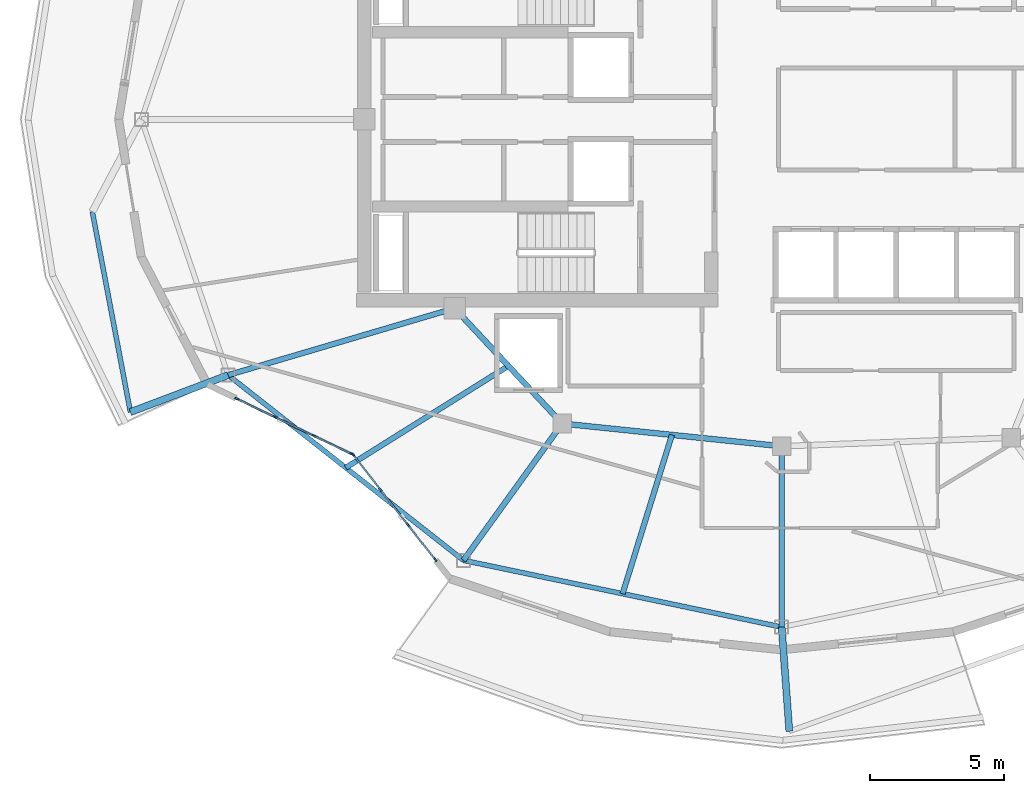
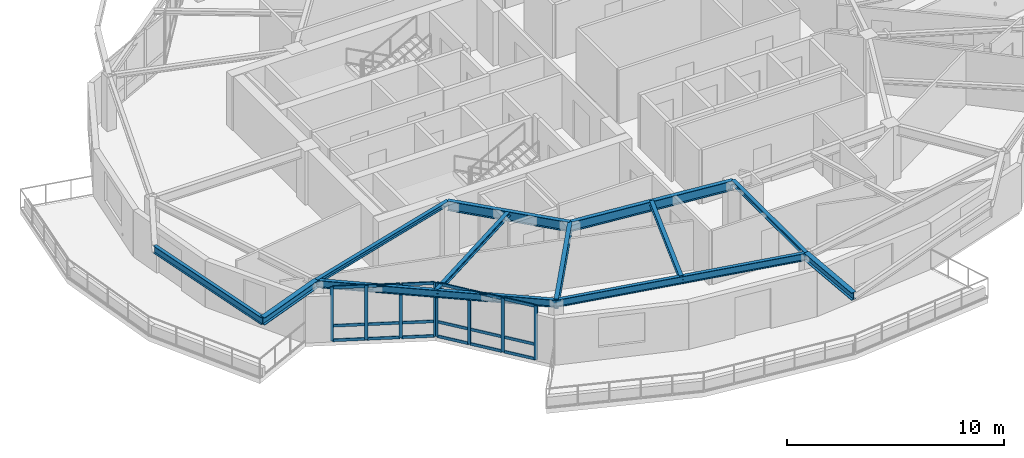
# One storey, part 2 of 16: 26 members, 12 beams, 2 elements without a shape of their own.
"""IFC4 building model written with IfcOpenShell, lengths in metres."""

from ifc_helpers import new_model, si_unit, direction, frame, origin, origin_2d, place, context, subcontext, project, spatial, rectangle, i_section, extrude, material, layer, layer_set, material_profile, profile_set, type_object, element, aggregate, save


model = new_model("IFC4")

# Units and contexts
model_context = context("Model", 3, precision=1e-05, world=origin(), true_north=direction((0.0, 1.0)))
body_context = subcontext(model_context, "Body", "Model", "MODEL_VIEW")
ifc_project = project(units=[si_unit("LENGTHUNIT", "METRE"), si_unit("AREAUNIT", "SQUARE_METRE"), si_unit("VOLUMEUNIT", "CUBIC_METRE"), si_unit("PLANEANGLEUNIT", "RADIAN"), si_unit("MASSUNIT", "GRAM", prefix="KILO")], contexts=[model_context])

# Site, building, storey
site_placement = place(None, origin())
site = spatial("IfcSite", under=ifc_project, at=site_placement, CompositionType="ELEMENT")
building_placement = place(site_placement, origin())
building = spatial("IfcBuilding", under=site, at=building_placement, Name="Kolvaren Gate Tower and Convention Centre", CompositionType="ELEMENT")
storey_placement = place(building_placement, frame((0.0, 0.0, 219.5)))
storey = spatial("IfcBuildingStorey", under=building, at=storey_placement, Name="L58", CompositionType="ELEMENT", Elevation=219.5)

# Curtain wall, members
ifc_material_1 = material(Name="Anodized Architectural Aluminium Alloy 6063-T6", Category="aluminium")
ifc_layer = layer(ifc_material_1, 0.159912109375)
ifc_layer_set = layer_set([ifc_layer], Name="Anodized Architectural Aluminium Alloy 6063-T6")
curtain_wall_type = type_object("IfcCurtainWallType", Name="CW-RES-UNIT", PredefinedType="NOTDEFINED", material=ifc_layer_set)
curtain_wall_1_placement = place(storey_placement, origin())
curtain_wall_1 = element("IfcCurtainWall", 1, at=curtain_wall_1_placement, inside=storey, type_object=curtain_wall_type, Name="Tower L58 Unitised Curtain Wall CW-RES-UNIT Bay 14", PredefinedType="NOTDEFINED")
ifc_material_profile_1 = material_profile(ifc_material_1, rectangle(XDim=0.06494140625, YDim=0.159912109375, at=origin_2d()), Name="CW-MEM-MUL-160")
ifc_profile_set_1 = profile_set([ifc_material_profile_1], Name="Anodized Architectural Aluminium Alloy 6063-T6")
member_type_1 = type_object("IfcMemberType", Name="CW-MEM-MUL-160", PredefinedType="MULLION", material=ifc_profile_set_1)
member_1_placement = place(storey_placement, frame((9.78466796875, 16.574462890625, 0.0), z_axis=(0.0, 0.0, 1.0), x_axis=(0.433065576861, 0.901362416644, 0.0)))
member_1 = element("IfcMember", 2, at=member_1_placement, type_object=member_type_1, Name="CW-04 mullion 1", PredefinedType="MULLION", context=body_context, shape_type="SweptSolid", body=[
    extrude(rectangle(XDim=0.06494140625, YDim=0.159912109375, at=origin_2d()), origin(), (0.0, 0.0, 1.0), 3.030029296875),
])
member_2_placement = place(storey_placement, frame((11.20947265625, 15.889892578125, 0.0), z_axis=(0.0, 0.0, 1.0), x_axis=(0.433065576861, 0.901362416644, 0.0)))
member_2 = element("IfcMember", 3, at=member_2_placement, type_object=member_type_1, Name="CW-04 mullion 2", PredefinedType="MULLION", context=body_context, shape_type="SweptSolid", body=[
    extrude(rectangle(XDim=0.06494140625, YDim=0.159912109375, at=origin_2d()), origin(), (0.0, 0.0, 1.0), 3.030029296875),
])
member_3_placement = place(storey_placement, frame((12.66357421875, 15.19140625, 0.0), z_axis=(0.0, 0.0, 1.0), x_axis=(0.433065576861, 0.901362416644, 0.0)))
member_3 = element("IfcMember", 4, at=member_3_placement, type_object=member_type_1, Name="CW-04 mullion 3", PredefinedType="MULLION", context=body_context, shape_type="SweptSolid", body=[
    extrude(rectangle(XDim=0.06494140625, YDim=0.159912109375, at=origin_2d()), origin(), (0.0, 0.0, 1.0), 3.030029296875),
])
member_4_placement = place(storey_placement, frame((14.088134765625, 14.5068359375, 0.0), z_axis=(0.0, 0.0, 1.0), x_axis=(0.433065576861, 0.901362416644, 0.0)))
member_4 = element("IfcMember", 5, at=member_4_placement, type_object=member_type_1, Name="CW-04 mullion 4", PredefinedType="MULLION", context=body_context, shape_type="SweptSolid", body=[
    extrude(rectangle(XDim=0.06494140625, YDim=0.159912109375, at=origin_2d()), origin(), (0.0, 0.0, 1.0), 3.030029296875),
])

curtain_wall_2_placement = place(storey_placement, origin())
curtain_wall_2 = element("IfcCurtainWall", 6, at=curtain_wall_2_placement, inside=storey, type_object=curtain_wall_type, Name="Tower L58 Unitised Curtain Wall CW-RES-UNIT Bay 15", PredefinedType="NOTDEFINED")
member_5_placement = place(storey_placement, frame((14.137451171875, 14.467041015625, 0.0), z_axis=(0.0, 0.0, 1.0), x_axis=(0.787409932974, 0.616429718179, 0.0)))
member_5 = element("IfcMember", 7, at=member_5_placement, type_object=member_type_1, Name="CW-04 mullion 1", PredefinedType="MULLION", context=body_context, shape_type="SweptSolid", body=[
    extrude(rectangle(XDim=0.06494140625, YDim=0.159912109375, at=origin_2d()), origin(), (0.0, 0.0, 1.0), 3.030029296875),
])
member_6_placement = place(storey_placement, frame((15.1484375, 13.17578125, 0.0), z_axis=(0.0, 0.0, 1.0), x_axis=(0.787409932974, 0.616429718179, 0.0)))
member_6 = element("IfcMember", 8, at=member_6_placement, type_object=member_type_1, Name="CW-04 mullion 2", PredefinedType="MULLION", context=body_context, shape_type="SweptSolid", body=[
    extrude(rectangle(XDim=0.06494140625, YDim=0.159912109375, at=origin_2d()), origin(), (0.0, 0.0, 1.0), 3.030029296875),
])
member_7_placement = place(storey_placement, frame((16.17919921875, 11.859130859375, 0.0), z_axis=(0.0, 0.0, 1.0), x_axis=(0.787409932974, 0.616429718179, 0.0)))
member_7 = element("IfcMember", 9, at=member_7_placement, type_object=member_type_1, Name="CW-04 mullion 3", PredefinedType="MULLION", context=body_context, shape_type="SweptSolid", body=[
    extrude(rectangle(XDim=0.06494140625, YDim=0.159912109375, at=origin_2d()), origin(), (0.0, 0.0, 1.0), 3.030029296875),
])
member_8_placement = place(storey_placement, frame((17.190185546875, 10.56787109375, 0.0), z_axis=(0.0, 0.0, 1.0), x_axis=(0.787409932974, 0.616429718179, 0.0)))
member_8 = element("IfcMember", 10, at=member_8_placement, type_object=member_type_1, Name="CW-04 mullion 4", PredefinedType="MULLION", context=body_context, shape_type="SweptSolid", body=[
    extrude(rectangle(XDim=0.06494140625, YDim=0.159912109375, at=origin_2d()), origin(), (0.0, 0.0, 1.0), 3.030029296875),
])

# Member
ifc_material_profile_2 = material_profile(ifc_material_1, rectangle(XDim=0.06494140625, YDim=0.159912109375, at=origin_2d()), Name="CW-MEM-TRN-160")
ifc_profile_set_2 = profile_set([ifc_material_profile_2], Name="Anodized Architectural Aluminium Alloy 6063-T6")
member_type_2 = type_object("IfcMemberType", Name="CW-MEM-TRN-160", PredefinedType="USERDEFINED", material=ifc_profile_set_2)
member_9_placement = place(storey_placement, frame((9.81396484375, 16.560302734375, 0.032470703125), z_axis=(0.901402369702, -0.432982410607, 0.0), x_axis=(0.432982410607, 0.901402369702, 0.0)))
member_9 = element("IfcMember", 11, at=member_9_placement, type_object=member_type_2, Name="CW-04 transom 1.1", ObjectType="TRANSOM", PredefinedType="USERDEFINED", context=body_context, shape_type="SweptSolid", body=[
    extrude(rectangle(XDim=0.06494140625, YDim=0.159912109375, at=origin_2d()), origin(), (0.0, 0.0, 1.0), 1.515625),
])

member_10_placement = place(storey_placement, frame((9.81396484375, 16.560302734375, 0.85009765625), z_axis=(0.901402369702, -0.432982410607, 0.0), x_axis=(0.432982410607, 0.901402369702, 0.0)))
member_10 = element("IfcMember", 12, at=member_10_placement, type_object=member_type_2, Name="CW-04 transom 1.2", ObjectType="TRANSOM", PredefinedType="USERDEFINED", context=body_context, shape_type="SweptSolid", body=[
    extrude(rectangle(XDim=0.06494140625, YDim=0.159912109375, at=origin_2d()), origin(), (0.0, 0.0, 1.0), 1.515625),
])

member_11_placement = place(storey_placement, frame((9.81396484375, 16.560302734375, 2.99755859375), z_axis=(0.901402369702, -0.432982410607, 0.0), x_axis=(0.432982410607, 0.901402369702, 0.0)))
member_11 = element("IfcMember", 13, at=member_11_placement, type_object=member_type_2, Name="CW-04 transom 1.3", ObjectType="TRANSOM", PredefinedType="USERDEFINED", context=body_context, shape_type="SweptSolid", body=[
    extrude(rectangle(XDim=0.06494140625, YDim=0.159912109375, at=origin_2d()), origin(), (0.0, 0.0, 1.0), 1.515625),
])

member_12_placement = place(storey_placement, frame((11.23876953125, 15.875732421875, 0.032470703125), z_axis=(0.901380283866, -0.433028386896, 0.0), x_axis=(0.433028386896, 0.901380283866, 0.0)))
member_12 = element("IfcMember", 14, at=member_12_placement, type_object=member_type_2, Name="CW-04 transom 2.1", ObjectType="TRANSOM", PredefinedType="USERDEFINED", context=body_context, shape_type="SweptSolid", body=[
    extrude(rectangle(XDim=0.06494140625, YDim=0.159912109375, at=origin_2d()), origin(), (0.0, 0.0, 1.0), 1.548095703125),
])

member_13_placement = place(storey_placement, frame((11.23876953125, 15.875732421875, 0.85009765625), z_axis=(0.901380283866, -0.433028386896, 0.0), x_axis=(0.433028386896, 0.901380283866, 0.0)))
member_13 = element("IfcMember", 15, at=member_13_placement, type_object=member_type_2, Name="CW-04 transom 2.2", ObjectType="TRANSOM", PredefinedType="USERDEFINED", context=body_context, shape_type="SweptSolid", body=[
    extrude(rectangle(XDim=0.06494140625, YDim=0.159912109375, at=origin_2d()), origin(), (0.0, 0.0, 1.0), 1.548095703125),
])

member_14_placement = place(storey_placement, frame((11.23876953125, 15.875732421875, 2.99755859375), z_axis=(0.901380283866, -0.433028386896, 0.0), x_axis=(0.433028386896, 0.901380283866, 0.0)))
member_14 = element("IfcMember", 16, at=member_14_placement, type_object=member_type_2, Name="CW-04 transom 2.3", ObjectType="TRANSOM", PredefinedType="USERDEFINED", context=body_context, shape_type="SweptSolid", body=[
    extrude(rectangle(XDim=0.06494140625, YDim=0.159912109375, at=origin_2d()), origin(), (0.0, 0.0, 1.0), 1.548095703125),
])

member_15_placement = place(storey_placement, frame((12.69287109375, 15.17724609375, 0.032470703125), z_axis=(0.901309275583, -0.433176164797, 0.0), x_axis=(0.433176164797, 0.901309275583, 0.0)))
member_15 = element("IfcMember", 17, at=member_15_placement, type_object=member_type_2, Name="CW-04 transom 3.1", ObjectType="TRANSOM", PredefinedType="USERDEFINED", context=body_context, shape_type="SweptSolid", body=[
    extrude(rectangle(XDim=0.06494140625, YDim=0.159912109375, at=origin_2d()), origin(), (0.0, 0.0, 1.0), 1.515625),
])

member_16_placement = place(storey_placement, frame((12.69287109375, 15.17724609375, 0.85009765625), z_axis=(0.901309275583, -0.433176164797, 0.0), x_axis=(0.433176164797, 0.901309275583, 0.0)))
member_16 = element("IfcMember", 18, at=member_16_placement, type_object=member_type_2, Name="CW-04 transom 3.2", ObjectType="TRANSOM", PredefinedType="USERDEFINED", context=body_context, shape_type="SweptSolid", body=[
    extrude(rectangle(XDim=0.06494140625, YDim=0.159912109375, at=origin_2d()), origin(), (0.0, 0.0, 1.0), 1.515625),
])

member_17_placement = place(storey_placement, frame((12.69287109375, 15.17724609375, 2.99755859375), z_axis=(0.901309275583, -0.433176164797, 0.0), x_axis=(0.433176164797, 0.901309275583, 0.0)))
member_17 = element("IfcMember", 19, at=member_17_placement, type_object=member_type_2, Name="CW-04 transom 3.3", ObjectType="TRANSOM", PredefinedType="USERDEFINED", context=body_context, shape_type="SweptSolid", body=[
    extrude(rectangle(XDim=0.06494140625, YDim=0.159912109375, at=origin_2d()), origin(), (0.0, 0.0, 1.0), 1.515625),
])

aggregate(curtain_wall_1, [member_1, member_2, member_3, member_4, member_9, member_10, member_11, member_12, member_13, member_14, member_15, member_16, member_17])

member_18_placement = place(storey_placement, frame((14.157470703125, 14.44140625, 0.032470703125), z_axis=(0.616513055725, -0.787344684443, 0.0), x_axis=(0.787344684443, 0.616513055725, 0.0)))
member_18 = element("IfcMember", 20, at=member_18_placement, type_object=member_type_2, Name="CW-04 transom 1.1", ObjectType="TRANSOM", PredefinedType="USERDEFINED", context=body_context, shape_type="SweptSolid", body=[
    extrude(rectangle(XDim=0.06494140625, YDim=0.159912109375, at=origin_2d()), origin(), (0.0, 0.0, 1.0), 1.574951171875),
])

member_19_placement = place(storey_placement, frame((14.157470703125, 14.44140625, 0.85009765625), z_axis=(0.616513055725, -0.787344684443, 0.0), x_axis=(0.787344684443, 0.616513055725, 0.0)))
member_19 = element("IfcMember", 21, at=member_19_placement, type_object=member_type_2, Name="CW-04 transom 1.2", ObjectType="TRANSOM", PredefinedType="USERDEFINED", context=body_context, shape_type="SweptSolid", body=[
    extrude(rectangle(XDim=0.06494140625, YDim=0.159912109375, at=origin_2d()), origin(), (0.0, 0.0, 1.0), 1.574951171875),
])

member_20_placement = place(storey_placement, frame((14.157470703125, 14.44140625, 2.99755859375), z_axis=(0.616513055725, -0.787344684443, 0.0), x_axis=(0.787344684443, 0.616513055725, 0.0)))
member_20 = element("IfcMember", 22, at=member_20_placement, type_object=member_type_2, Name="CW-04 transom 1.3", ObjectType="TRANSOM", PredefinedType="USERDEFINED", context=body_context, shape_type="SweptSolid", body=[
    extrude(rectangle(XDim=0.06494140625, YDim=0.159912109375, at=origin_2d()), origin(), (0.0, 0.0, 1.0), 1.574951171875),
])

member_21_placement = place(storey_placement, frame((15.16845703125, 13.150390625, 0.032470703125), z_axis=(0.616398363045, -0.787434478567, 0.0), x_axis=(0.787434478567, 0.616398363045, 0.0)))
member_21 = element("IfcMember", 23, at=member_21_placement, type_object=member_type_2, Name="CW-04 transom 2.1", ObjectType="TRANSOM", PredefinedType="USERDEFINED", context=body_context, shape_type="SweptSolid", body=[
    extrude(rectangle(XDim=0.06494140625, YDim=0.159912109375, at=origin_2d()), origin(), (0.0, 0.0, 1.0), 1.607177734375),
])

member_22_placement = place(storey_placement, frame((15.16845703125, 13.150390625, 0.85009765625), z_axis=(0.616398363045, -0.787434478567, 0.0), x_axis=(0.787434478567, 0.616398363045, 0.0)))
member_22 = element("IfcMember", 24, at=member_22_placement, type_object=member_type_2, Name="CW-04 transom 2.2", ObjectType="TRANSOM", PredefinedType="USERDEFINED", context=body_context, shape_type="SweptSolid", body=[
    extrude(rectangle(XDim=0.06494140625, YDim=0.159912109375, at=origin_2d()), origin(), (0.0, 0.0, 1.0), 1.607177734375),
])

member_23_placement = place(storey_placement, frame((15.16845703125, 13.150390625, 2.99755859375), z_axis=(0.616398363045, -0.787434478567, 0.0), x_axis=(0.787434478567, 0.616398363045, 0.0)))
member_23 = element("IfcMember", 25, at=member_23_placement, type_object=member_type_2, Name="CW-04 transom 2.3", ObjectType="TRANSOM", PredefinedType="USERDEFINED", context=body_context, shape_type="SweptSolid", body=[
    extrude(rectangle(XDim=0.06494140625, YDim=0.159912109375, at=origin_2d()), origin(), (0.0, 0.0, 1.0), 1.607177734375),
])

member_24_placement = place(storey_placement, frame((16.19921875, 11.83349609375, 0.032470703125), z_axis=(0.616416943475, -0.787419933579, 0.0), x_axis=(0.787419933579, 0.616416943475, 0.0)))
member_24 = element("IfcMember", 26, at=member_24_placement, type_object=member_type_2, Name="CW-04 transom 3.1", ObjectType="TRANSOM", PredefinedType="USERDEFINED", context=body_context, shape_type="SweptSolid", body=[
    extrude(rectangle(XDim=0.06494140625, YDim=0.159912109375, at=origin_2d()), origin(), (0.0, 0.0, 1.0), 1.57470703125),
])

member_25_placement = place(storey_placement, frame((16.19921875, 11.83349609375, 0.85009765625), z_axis=(0.616416943475, -0.787419933579, 0.0), x_axis=(0.787419933579, 0.616416943475, 0.0)))
member_25 = element("IfcMember", 27, at=member_25_placement, type_object=member_type_2, Name="CW-04 transom 3.2", ObjectType="TRANSOM", PredefinedType="USERDEFINED", context=body_context, shape_type="SweptSolid", body=[
    extrude(rectangle(XDim=0.06494140625, YDim=0.159912109375, at=origin_2d()), origin(), (0.0, 0.0, 1.0), 1.57470703125),
])

member_26_placement = place(storey_placement, frame((16.19921875, 11.83349609375, 2.99755859375), z_axis=(0.616416943475, -0.787419933579, 0.0), x_axis=(0.787419933579, 0.616416943475, 0.0)))
member_26 = element("IfcMember", 28, at=member_26_placement, type_object=member_type_2, Name="CW-04 transom 3.3", ObjectType="TRANSOM", PredefinedType="USERDEFINED", context=body_context, shape_type="SweptSolid", body=[
    extrude(rectangle(XDim=0.06494140625, YDim=0.159912109375, at=origin_2d()), origin(), (0.0, 0.0, 1.0), 1.57470703125),
])

aggregate(curtain_wall_2, [member_5, member_6, member_7, member_8, member_18, member_19, member_20, member_21, member_22, member_23, member_24, member_25, member_26])

# Beams
ifc_material_2 = material(Name="Structural steel ASTM A992 Grade 345 MPa", Category="steel")
ifc_material_profile_3 = material_profile(ifc_material_2, i_section(OverallWidth=0.260009765625, OverallDepth=0.419921875, WebThickness=0.013427734375, FlangeThickness=0.0224609375, at=origin_2d()), Name="W410X132")
ifc_profile_set_3 = profile_set([ifc_material_profile_3], Name="Structural steel ASTM A992 Grade 345 MPa")
beam_type_1 = type_object("IfcBeamType", Name="STR-BM-W410X132", PredefinedType="BEAM", material=ifc_profile_set_3)
for number, where, z_axis, x_axis, name in (
    (29, (9.462646484375, 17.456298828125, 2.820556640625), (-0.935223524141, -0.354057848229, 0.0), (0.354057848229, -0.935223524141, 0.0), "Tower L59 Planted Balcony Outrigger Cantilever BC-2B"),
    (30, (30.125, 8.050048828125, 2.820556640625), (0.073177618762, -0.997318923972, 0.0), (0.997318923972, 0.073177618762, 0.0), "Tower L59 Planted Balcony Outrigger Cantilever BC-3A"),
):
    element("IfcBeam", number, at=place(storey_placement, frame(where, z_axis=z_axis, x_axis=x_axis)), inside=storey, type_object=beam_type_1, Name=name, PredefinedType="BEAM", context=body_context, shape_type="SweptSolid", body=[
        extrude(i_section(OverallWidth=0.260009765625, OverallDepth=0.419921875, WebThickness=0.013427734375, FlangeThickness=0.0224609375, at=origin_2d()), origin(), (0.0, 0.0, 1.0), 3.900146484375),
    ])
ifc_material_profile_4 = material_profile(ifc_material_2, i_section(OverallWidth=0.2119140625, OverallDepth=0.5439453125, WebThickness=0.01318359375, FlangeThickness=0.021240234375, at=origin_2d()), Name="W530X123")
ifc_profile_set_4 = profile_set([ifc_material_profile_4], Name="Structural steel ASTM A992 Grade 345 MPa")
beam_type_2 = type_object("IfcBeamType", Name="STR-BM-W530X123", PredefinedType="BEAM", material=ifc_profile_set_4)
beam_1_placement = place(storey_placement, frame((17.9140625, 19.949951171875, 2.758056640625), z_axis=(0.682557592987, -0.730831808459, 0.0), x_axis=(0.730831808459, 0.682557592987, 0.0)))
element("IfcBeam", 31, at=beam_1_placement, inside=storey, type_object=beam_type_2, Name="Tower L58 Primary Ring Girder G-06", PredefinedType="BEAM", context=body_context, shape_type="SweptSolid", body=[
    extrude(i_section(OverallWidth=0.2119140625, OverallDepth=0.5439453125, WebThickness=0.01318359375, FlangeThickness=0.021240234375, at=origin_2d()), origin(), (0.0, 0.0, 1.0), 5.88671875),
])
beam_2_placement = place(storey_placement, frame((21.93212890625, 15.647705078125, 2.758056640625), z_axis=(0.994690329115, -0.102913308978, 0.0), x_axis=(0.102913308978, 0.994690329115, 0.0)))
element("IfcBeam", 32, at=beam_2_placement, inside=storey, type_object=beam_type_2, Name="Tower L58 Primary Ring Girder G-07", PredefinedType="BEAM", context=body_context, shape_type="SweptSolid", body=[
    extrude(i_section(OverallWidth=0.2119140625, OverallDepth=0.5439453125, WebThickness=0.01318359375, FlangeThickness=0.021240234375, at=origin_2d()), origin(), (0.0, 0.0, 1.0), 8.236572265625),
])
beam_3_placement = place(storey_placement, frame((21.93212890625, 15.647705078125, 2.758056640625), z_axis=(-0.585214462319, -0.810878556316, 0.0), x_axis=(0.810878556316, -0.585214462319, 0.0)))
element("IfcBeam", 33, at=beam_3_placement, inside=storey, type_object=beam_type_2, Name="Tower L58 Radial Floor Girder RB-09", PredefinedType="BEAM", context=body_context, shape_type="SweptSolid", body=[
    extrude(i_section(OverallWidth=0.2119140625, OverallDepth=0.5439453125, WebThickness=0.01318359375, FlangeThickness=0.021240234375, at=origin_2d()), origin(), (0.0, 0.0, 1.0), 6.296630859375),
])
ifc_material_profile_5 = material_profile(ifc_material_2, i_section(OverallWidth=0.202880859375, OverallDepth=0.251953125, WebThickness=0.008056640625, FlangeThickness=0.013427734375, at=origin_2d()), Name="W250X58")
ifc_profile_set_5 = profile_set([ifc_material_profile_5], Name="Structural steel ASTM A992 Grade 345 MPa")
beam_type_3 = type_object("IfcBeamType", Name="STR-JS-W250X58", PredefinedType="JOIST", material=ifc_profile_set_5)
beam_4_placement = place(storey_placement, frame((17.9140625, 19.949951171875, 2.904052734375), z_axis=(-0.959121165581, -0.28299574155, 0.0), x_axis=(0.28299574155, -0.959121165581, 0.0)))
element("IfcBeam", 34, at=beam_4_placement, inside=storey, type_object=beam_type_3, Name="Tower L58 Radial Floor Girder RB-08", PredefinedType="JOIST", context=body_context, shape_type="SweptSolid", body=[
    extrude(i_section(OverallWidth=0.202880859375, OverallDepth=0.251953125, WebThickness=0.008056640625, FlangeThickness=0.013427734375, at=origin_2d()), origin(), (0.0, 0.0, 1.0), 8.8115234375),
])
beam_5_placement = place(storey_placement, frame((30.125, 14.800048828125, 2.904052734375), z_axis=(0.0, -1.0, 0.0), x_axis=(1.0, 0.0, 0.0)))
element("IfcBeam", 35, at=beam_5_placement, inside=storey, type_object=beam_type_3, Name="Tower L58 Radial Floor Girder RB-10", PredefinedType="JOIST", context=body_context, shape_type="SweptSolid", body=[
    extrude(i_section(OverallWidth=0.202880859375, OverallDepth=0.251953125, WebThickness=0.008056640625, FlangeThickness=0.013427734375, at=origin_2d()), origin(), (0.0, 0.0, 1.0), 6.75),
])
beam_6_placement = place(storey_placement, frame((19.923095703125, 17.798828125, 2.904052734375), z_axis=(-0.847559309278, -0.530700685186, 0.0), x_axis=(0.530700685186, -0.847559309278, 0.0)))
element("IfcBeam", 36, at=beam_6_placement, inside=storey, type_object=beam_type_3, Name="Tower L58 Secondary Composite Floor Joist J-08.1", PredefinedType="JOIST", context=body_context, shape_type="SweptSolid", body=[
    extrude(i_section(OverallWidth=0.202880859375, OverallDepth=0.251953125, WebThickness=0.008056640625, FlangeThickness=0.013427734375, at=origin_2d()), origin(), (0.0, 0.0, 1.0), 7.159423828125),
])
beam_7_placement = place(storey_placement, frame((26.028564453125, 15.223876953125, 2.904052734375), z_axis=(-0.296776485487, -0.954946971126, 0.0), x_axis=(0.954946971126, -0.296776485487, 0.0)))
element("IfcBeam", 37, at=beam_7_placement, inside=storey, type_object=beam_type_3, Name="Tower L58 Secondary Composite Floor Joist J-09.1", PredefinedType="JOIST", context=body_context, shape_type="SweptSolid", body=[
    extrude(i_section(OverallWidth=0.202880859375, OverallDepth=0.251953125, WebThickness=0.008056640625, FlangeThickness=0.013427734375, at=origin_2d()), origin(), (0.0, 0.0, 1.0), 6.207763671875),
])
ifc_material_profile_6 = material_profile(ifc_material_2, i_section(OverallWidth=0.180908203125, OverallDepth=0.4169921875, WebThickness=0.010986328125, FlangeThickness=0.018310546875, at=origin_2d()), Name="W410X85")
ifc_profile_set_6 = profile_set([ifc_material_profile_6], Name="Structural steel ASTM A992 Grade 345 MPa")
beam_type_4 = type_object("IfcBeamType", Name="STR-SP-W410X85", PredefinedType="SPANDREL", material=ifc_profile_set_6)
beam_8_placement = place(storey_placement, frame((9.462646484375, 17.456298828125, 2.821533203125), z_axis=(0.78579365551, -0.618488747643, 0.0), x_axis=(0.618488747643, 0.78579365551, 0.0)))
element("IfcBeam", 38, at=beam_8_placement, inside=storey, type_object=beam_type_4, Name="Tower L58 Perimeter Spandrel Beam SP-08", PredefinedType="SPANDREL", context=body_context, shape_type="SweptSolid", body=[
    extrude(i_section(OverallWidth=0.180908203125, OverallDepth=0.4169921875, WebThickness=0.010986328125, FlangeThickness=0.018310546875, at=origin_2d()), origin(), (0.0, 0.0, 1.0), 11.179443359375),
])
beam_9_placement = place(storey_placement, frame((18.247314453125, 10.5419921875, 2.821533203125), z_axis=(0.978692765917, -0.205330148645, 0.0), x_axis=(0.205330148645, 0.978692765917, 0.0)))
element("IfcBeam", 39, at=beam_9_placement, inside=storey, type_object=beam_type_4, Name="Tower L58 Perimeter Spandrel Beam SP-09", PredefinedType="SPANDREL", context=body_context, shape_type="SweptSolid", body=[
    extrude(i_section(OverallWidth=0.180908203125, OverallDepth=0.4169921875, WebThickness=0.010986328125, FlangeThickness=0.018310546875, at=origin_2d()), origin(), (0.0, 0.0, 1.0), 12.13623046875),
])
beam_10_placement = place(storey_placement, frame((4.393798828125, 23.556640625, 2.822021484375), z_axis=(0.186655385459, -0.982425451156, 0.0), x_axis=(0.982425451156, 0.186655385459, 0.0)))
element("IfcBeam", 40, at=beam_10_placement, inside=storey, type_object=beam_type_4, Name="Tower L59 Planted Balcony Header Tie Beam BT-2", PredefinedType="SPANDREL", context=body_context, shape_type="SweptSolid", body=[
    extrude(i_section(OverallWidth=0.180908203125, OverallDepth=0.4169921875, WebThickness=0.010986328125, FlangeThickness=0.018310546875, at=origin_2d()), origin(), (0.0, 0.0, 1.0), 7.614990234375),
])

save(model, "model.ifc")
